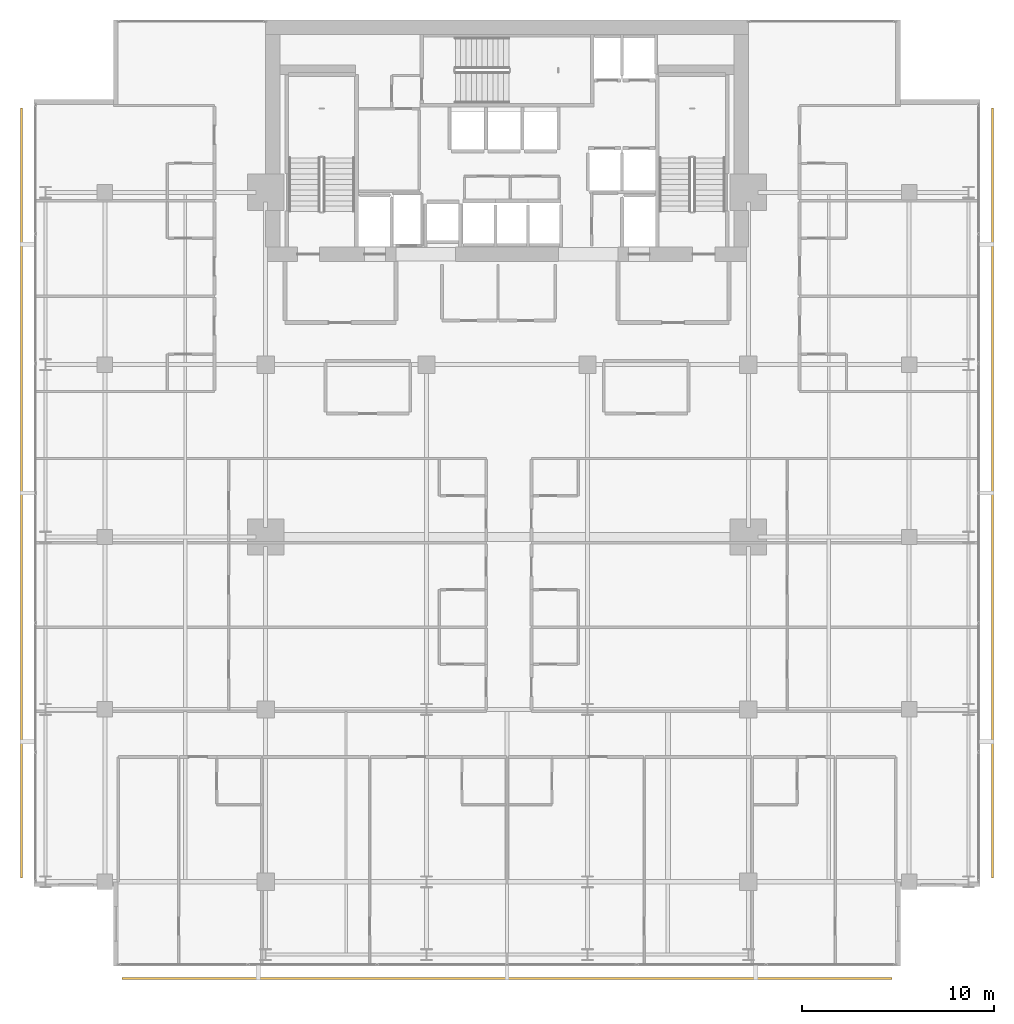
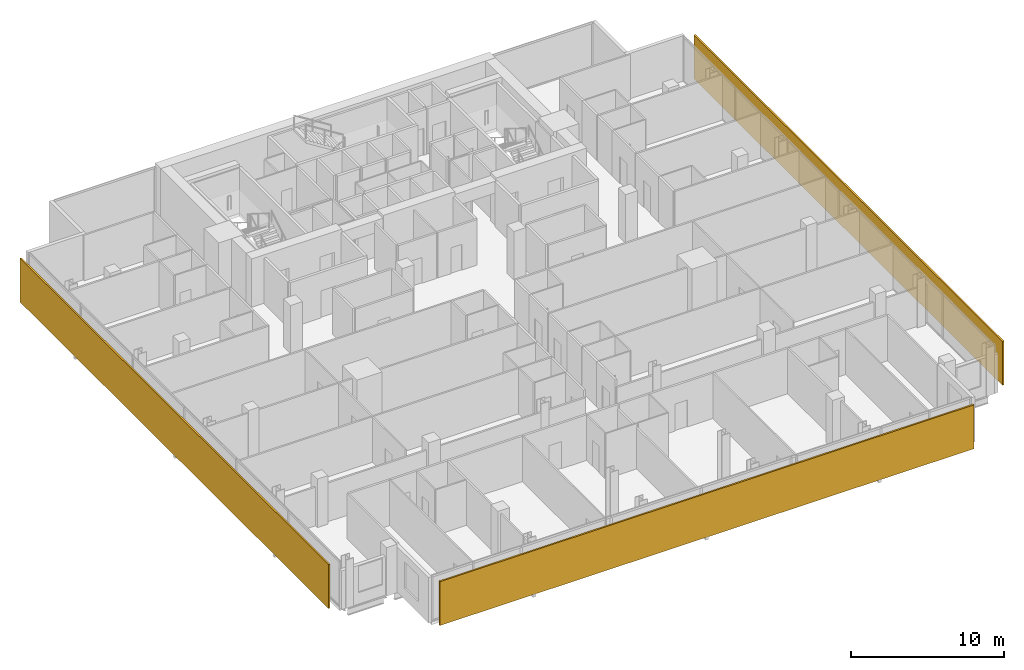
# One storey, part 33 of 34: 3 shading devices.
"""IFC4 building model written with IfcOpenShell, lengths in metres."""

from ifc_helpers import new_model, si_unit, direction, frame, origin, origin_2d, place, context, subcontext, project, spatial, rectangle, extrude, material, layer, layer_set, type_object, element, save


model = new_model("IFC4")

# Units and contexts
model_context = context("Model", 3, precision=1e-05, world=origin(), true_north=direction((0.0, 1.0)))
body_context = subcontext(model_context, "Body", "Model", "MODEL_VIEW")
ifc_project = project(units=[si_unit("LENGTHUNIT", "METRE"), si_unit("AREAUNIT", "SQUARE_METRE"), si_unit("VOLUMEUNIT", "CUBIC_METRE"), si_unit("PLANEANGLEUNIT", "RADIAN"), si_unit("MASSUNIT", "GRAM", prefix="KILO")], contexts=[model_context])

# Site, building, storey
site_placement = place(None, origin())
site = spatial("IfcSite", under=ifc_project, at=site_placement, CompositionType="ELEMENT")
building_placement = place(site_placement, origin())
building = spatial("IfcBuilding", under=site, at=building_placement, Name="Maruvema Waterfront Hotel and Observation Tower", CompositionType="ELEMENT")
storey_placement = place(building_placement, frame((0.0, 0.0, 215.949951171875)))
storey = spatial("IfcBuildingStorey", under=building, at=storey_placement, Name="L53", CompositionType="ELEMENT", Elevation=215.949951171875)

# Shading devices
ifc_material = material(Name="Honed travertine stone and anodised architectural bronze", Category="masonry")
ifc_layer = layer(ifc_material, 0.1201171875, Name="Ventilated Outer Skin Cobogo Stone-and-Bronze Screen 120 mm")
ifc_layer_set = layer_set([ifc_layer], Name="Honed travertine stone and anodised architectural bronze")
shading_device_type = type_object("IfcShadingDeviceType", Name="Ventilated Outer Skin Cobogo Stone-and-Bronze Screen 120 mm", PredefinedType="USERDEFINED", material=ifc_layer_set)
for number, where, z_axis, x_axis, name in (
    (1, (37.800048828125, 3.949951171875, 0.06005859375), (0.0, 0.0, 1.0), (1.0, 0.0, 0.0), "L53 Ventilated Double-Skin Outer Cobogo Screen OS-L53-S"),
    (2, (63.14990234375, 29.300048828125, 0.06005859375), (0.0, 0.0, 1.0), (0.0, 1.0, 0.0), "L53 Ventilated Double-Skin Outer Cobogo Screen OS-L53-E"),
    (3, (12.449951171875, 29.300048828125, 0.06005859375), (0.0, 0.0, 1.0), (0.0, -1.0, 0.0), "L53 Ventilated Double-Skin Outer Cobogo Screen OS-L53-W"),
):
    element("IfcShadingDevice", number, at=place(storey_placement, frame(where, z_axis=z_axis, x_axis=x_axis)), inside=storey, type_object=shading_device_type, Name=name, ObjectType="OUTER SKIN SCREEN", PredefinedType="USERDEFINED", context=body_context, shape_type="SweptSolid", body=[
        extrude(rectangle(XDim=40.199951171875, YDim=0.1201171875, at=origin_2d()), origin(), (0.0, 0.0, 1.0), 3.489990234375),
    ])

save(model, "model.ifc")
